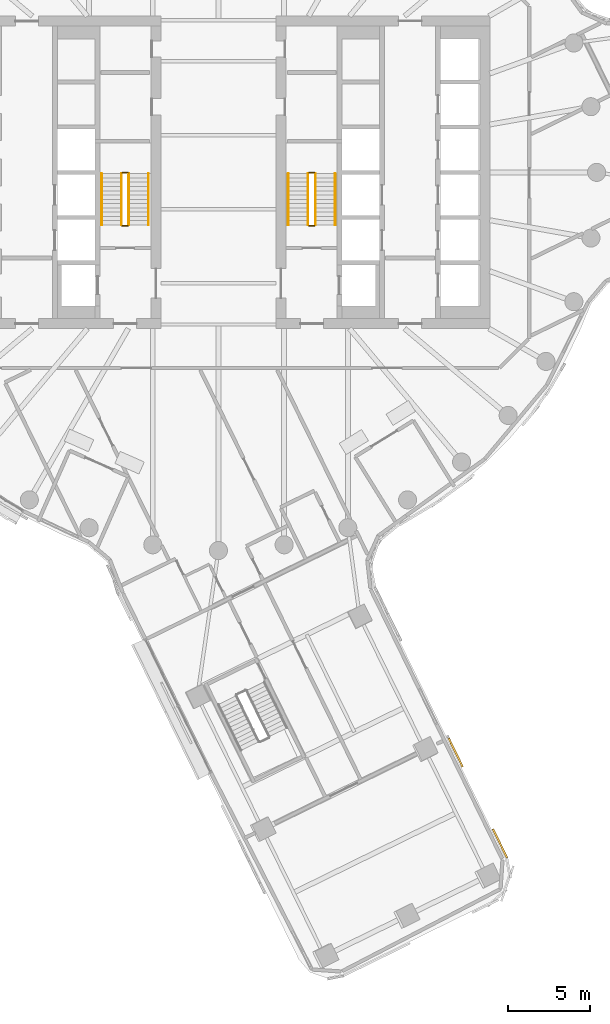
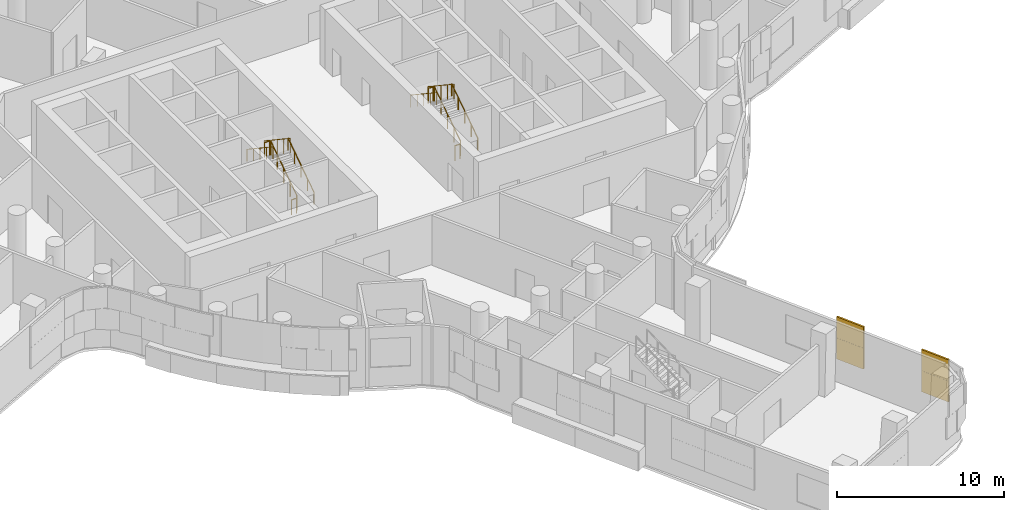
# One storey, part 19 of 23: 12 railings, 1 covering.
"""IFC4 building model written with IfcOpenShell, lengths in metres."""

from ifc_helpers import new_model, si_unit, direction, frame, origin, origin_2d, place, context, subcontext, project, spatial, rectangle, circle, extrude, material, layer, layer_set, type_object, element, save


model = new_model("IFC4")

# Units and contexts
model_context = context("Model", 3, precision=1e-05, world=origin(), true_north=direction((0.0, 1.0)))
body_context = subcontext(model_context, "Body", "Model", "MODEL_VIEW")
ifc_project = project(units=[si_unit("LENGTHUNIT", "METRE"), si_unit("AREAUNIT", "SQUARE_METRE"), si_unit("VOLUMEUNIT", "CUBIC_METRE"), si_unit("PLANEANGLEUNIT", "RADIAN"), si_unit("MASSUNIT", "GRAM", prefix="KILO")], contexts=[model_context])

# Site, building, storey
site_placement = place(None, origin())
site = spatial("IfcSite", under=ifc_project, at=site_placement, CompositionType="ELEMENT")
building_placement = place(site_placement, origin())
building = spatial("IfcBuilding", under=site, at=building_placement, Name="Tamarind Cross Interchange Tower", CompositionType="ELEMENT")
storey_placement = place(building_placement, frame((0.0, 0.0, 128.5)))
storey = spatial("IfcBuildingStorey", under=building, at=storey_placement, Name="L31", CompositionType="ELEMENT", Elevation=128.5)

# Railings
ifc_material_1 = material(Name="Stair guard")
railing_type_1 = type_object("IfcRailingType", Name="Stair guard", PredefinedType="GUARDRAIL", material=ifc_material_1)
railing_1_placement = place(storey_placement, frame((-5.449951171875, -3.199951171875, 0.173095703125)))
element("IfcRailing", 1, at=railing_1_placement, inside=storey, type_object=railing_type_1, Name="L31 ST1 stair guard 1", PredefinedType="GUARDRAIL", context=body_context, shape_type="SweptSolid", body=[
    extrude(circle(Radius=0.02392578125, at=origin_2d()), frame((0.0, 0.0, 1.076171875), z_axis=(0.0, 0.832420903958, 0.554143879018), x_axis=(-1.0, 0.0, 0.0)), (0.0, 0.0, 1.0), 3.748046875),
    extrude(circle(Radius=0.02099609375, at=origin_2d()), origin(), (0.0, 0.0, 1.0), 1.052001953125),
    extrude(circle(Radius=0.02099609375, at=origin_2d()), frame((0.0, 0.780029296875, 0.519287109375)), (0.0, 0.0, 1.0), 1.052001953125),
    extrude(circle(Radius=0.02099609375, at=origin_2d()), frame((0.0, 1.56005859375, 1.03857421875)), (0.0, 0.0, 1.0), 1.052001953125),
    extrude(circle(Radius=0.02099609375, at=origin_2d()), frame((0.0, 2.33984375, 1.5576171875)), (0.0, 0.0, 1.0), 1.052001953125),
    extrude(circle(Radius=0.02099609375, at=origin_2d()), frame((0.0, 3.119873046875, 2.076904296875)), (0.0, 0.0, 1.0), 1.052001953125),
])
railing_2_placement = place(storey_placement, frame((-5.5, -0.030029296875, 2.25)))
element("IfcRailing", 2, at=railing_2_placement, inside=storey, type_object=railing_type_1, Name="L31 ST1 stair guard 2", PredefinedType="GUARDRAIL", context=body_context, shape_type="SweptSolid", body=[
    extrude(circle(Radius=0.02392578125, at=origin_2d()), frame((0.0, 0.0, 1.076171875), z_axis=(-1.0, 0.0, 0.0), x_axis=(0.0, -1.0, 0.0)), (0.0, 0.0, 1.0), 0.35009765625),
    extrude(circle(Radius=0.02099609375, at=origin_2d()), origin(), (0.0, 0.0, 1.0), 1.052001953125),
    extrude(circle(Radius=0.02099609375, at=origin_2d()), frame((-0.35009765625, 0.0, 0.0)), (0.0, 0.0, 1.0), 1.052001953125),
])
railing_3_placement = place(storey_placement, frame((-5.89990234375, -0.080078125, 2.423095703125)))
element("IfcRailing", 3, at=railing_3_placement, inside=storey, type_object=railing_type_1, Name="L31 ST1 stair guard 3", PredefinedType="GUARDRAIL", context=body_context, shape_type="SweptSolid", body=[
    extrude(circle(Radius=0.02392578125, at=origin_2d()), frame((0.0, 0.0, 1.076171875), z_axis=(0.0, -0.832420903958, 0.554143879018), x_axis=(1.0, 0.0, 0.0)), (0.0, 0.0, 1.0), 3.748046875),
    extrude(circle(Radius=0.02099609375, at=origin_2d()), origin(), (0.0, 0.0, 1.0), 1.052001953125),
    extrude(circle(Radius=0.02099609375, at=origin_2d()), frame((0.0, -0.780029296875, 0.519287109375)), (0.0, 0.0, 1.0), 1.052001953125),
    extrude(circle(Radius=0.02099609375, at=origin_2d()), frame((0.0, -1.56005859375, 1.03857421875)), (0.0, 0.0, 1.0), 1.052001953125),
    extrude(circle(Radius=0.02099609375, at=origin_2d()), frame((0.0, -2.33984375, 1.5576171875)), (0.0, 0.0, 1.0), 1.052001953125),
    extrude(circle(Radius=0.02099609375, at=origin_2d()), frame((0.0, -3.119873046875, 2.076904296875)), (0.0, 0.0, 1.0), 1.052001953125),
])
railing_4_placement = place(storey_placement, frame((-5.5, -3.25, 0.0)))
element("IfcRailing", 4, at=railing_4_placement, inside=storey, type_object=railing_type_1, Name="L31 ST1 stair guard 4", PredefinedType="GUARDRAIL", context=body_context, shape_type="SweptSolid", body=[
    extrude(circle(Radius=0.02392578125, at=origin_2d()), frame((0.0, 0.0, 1.076171875), z_axis=(-1.0, 0.0, 0.0), x_axis=(0.0, -1.0, 0.0)), (0.0, 0.0, 1.0), 0.35009765625),
    extrude(circle(Radius=0.02099609375, at=origin_2d()), origin(), (0.0, 0.0, 1.0), 1.052001953125),
    extrude(circle(Radius=0.02099609375, at=origin_2d()), frame((-0.35009765625, 0.0, 0.0)), (0.0, 0.0, 1.0), 1.052001953125),
])
railing_5_placement = place(storey_placement, frame((5.89990234375, -3.199951171875, 0.173095703125)))
element("IfcRailing", 5, at=railing_5_placement, inside=storey, type_object=railing_type_1, Name="L31 ST2 stair guard 1", PredefinedType="GUARDRAIL", context=body_context, shape_type="SweptSolid", body=[
    extrude(circle(Radius=0.02392578125, at=origin_2d()), frame((0.0, 0.0, 1.076171875), z_axis=(0.0, 0.832420903958, 0.554143879018), x_axis=(-1.0, 0.0, 0.0)), (0.0, 0.0, 1.0), 3.748046875),
    extrude(circle(Radius=0.02099609375, at=origin_2d()), origin(), (0.0, 0.0, 1.0), 1.052001953125),
    extrude(circle(Radius=0.02099609375, at=origin_2d()), frame((0.0, 0.780029296875, 0.519287109375)), (0.0, 0.0, 1.0), 1.052001953125),
    extrude(circle(Radius=0.02099609375, at=origin_2d()), frame((0.0, 1.56005859375, 1.03857421875)), (0.0, 0.0, 1.0), 1.052001953125),
    extrude(circle(Radius=0.02099609375, at=origin_2d()), frame((0.0, 2.33984375, 1.5576171875)), (0.0, 0.0, 1.0), 1.052001953125),
    extrude(circle(Radius=0.02099609375, at=origin_2d()), frame((0.0, 3.119873046875, 2.076904296875)), (0.0, 0.0, 1.0), 1.052001953125),
])
railing_6_placement = place(storey_placement, frame((5.85009765625, -0.030029296875, 2.25)))
element("IfcRailing", 6, at=railing_6_placement, inside=storey, type_object=railing_type_1, Name="L31 ST2 stair guard 2", PredefinedType="GUARDRAIL", context=body_context, shape_type="SweptSolid", body=[
    extrude(circle(Radius=0.02392578125, at=origin_2d()), frame((0.0, 0.0, 1.076171875), z_axis=(-1.0, 0.0, 0.0), x_axis=(0.0, -1.0, 0.0)), (0.0, 0.0, 1.0), 0.35009765625),
    extrude(circle(Radius=0.02099609375, at=origin_2d()), origin(), (0.0, 0.0, 1.0), 1.052001953125),
    extrude(circle(Radius=0.02099609375, at=origin_2d()), frame((-0.35009765625, 0.0, 0.0)), (0.0, 0.0, 1.0), 1.052001953125),
])
railing_7_placement = place(storey_placement, frame((5.449951171875, -0.080078125, 2.423095703125)))
element("IfcRailing", 7, at=railing_7_placement, inside=storey, type_object=railing_type_1, Name="L31 ST2 stair guard 3", PredefinedType="GUARDRAIL", context=body_context, shape_type="SweptSolid", body=[
    extrude(circle(Radius=0.02392578125, at=origin_2d()), frame((0.0, 0.0, 1.076171875), z_axis=(0.0, -0.832420903958, 0.554143879018), x_axis=(1.0, 0.0, 0.0)), (0.0, 0.0, 1.0), 3.748046875),
    extrude(circle(Radius=0.02099609375, at=origin_2d()), origin(), (0.0, 0.0, 1.0), 1.052001953125),
    extrude(circle(Radius=0.02099609375, at=origin_2d()), frame((0.0, -0.780029296875, 0.519287109375)), (0.0, 0.0, 1.0), 1.052001953125),
    extrude(circle(Radius=0.02099609375, at=origin_2d()), frame((0.0, -1.56005859375, 1.03857421875)), (0.0, 0.0, 1.0), 1.052001953125),
    extrude(circle(Radius=0.02099609375, at=origin_2d()), frame((0.0, -2.33984375, 1.5576171875)), (0.0, 0.0, 1.0), 1.052001953125),
    extrude(circle(Radius=0.02099609375, at=origin_2d()), frame((0.0, -3.119873046875, 2.076904296875)), (0.0, 0.0, 1.0), 1.052001953125),
])
railing_8_placement = place(storey_placement, frame((5.85009765625, -3.25, 0.0)))
element("IfcRailing", 8, at=railing_8_placement, inside=storey, type_object=railing_type_1, Name="L31 ST2 stair guard 4", PredefinedType="GUARDRAIL", context=body_context, shape_type="SweptSolid", body=[
    extrude(circle(Radius=0.02392578125, at=origin_2d()), frame((0.0, 0.0, 1.076171875), z_axis=(-1.0, 0.0, 0.0), x_axis=(0.0, -1.0, 0.0)), (0.0, 0.0, 1.0), 0.35009765625),
    extrude(circle(Radius=0.02099609375, at=origin_2d()), origin(), (0.0, 0.0, 1.0), 1.052001953125),
    extrude(circle(Radius=0.02099609375, at=origin_2d()), frame((-0.35009765625, 0.0, 0.0)), (0.0, 0.0, 1.0), 1.052001953125),
])
ifc_material_2 = material(Name="Stair handrail")
railing_type_2 = type_object("IfcRailingType", Name="Stair handrail", PredefinedType="HANDRAIL", material=ifc_material_2)
railing_9_placement = place(storey_placement, frame((-4.25, -3.199951171875, 0.173095703125)))
element("IfcRailing", 9, at=railing_9_placement, inside=storey, type_object=railing_type_2, Name="L31 ST1 stair handrail 1", PredefinedType="HANDRAIL", context=body_context, shape_type="SweptSolid", body=[
    extrude(circle(Radius=0.02392578125, at=origin_2d()), frame((0.0, 0.0, 0.8759765625), z_axis=(0.0, 0.832420903958, 0.554143879018), x_axis=(-1.0, 0.0, 0.0)), (0.0, 0.0, 1.0), 3.748046875),
    extrude(circle(Radius=0.02099609375, at=origin_2d()), origin(), (0.0, 0.0, 1.0), 0.851806640625),
    extrude(circle(Radius=0.02099609375, at=origin_2d()), frame((0.0, 0.780029296875, 0.519287109375)), (0.0, 0.0, 1.0), 0.851806640625),
    extrude(circle(Radius=0.02099609375, at=origin_2d()), frame((0.0, 1.56005859375, 1.03857421875)), (0.0, 0.0, 1.0), 0.851806640625),
    extrude(circle(Radius=0.02099609375, at=origin_2d()), frame((0.0, 2.33984375, 1.5576171875)), (0.0, 0.0, 1.0), 0.851806640625),
    extrude(circle(Radius=0.02099609375, at=origin_2d()), frame((0.0, 3.119873046875, 2.076904296875)), (0.0, 0.0, 1.0), 0.851806640625),
])
railing_10_placement = place(storey_placement, frame((-7.10009765625, -0.080078125, 2.423095703125)))
element("IfcRailing", 10, at=railing_10_placement, inside=storey, type_object=railing_type_2, Name="L31 ST1 stair handrail 2", PredefinedType="HANDRAIL", context=body_context, shape_type="SweptSolid", body=[
    extrude(circle(Radius=0.02392578125, at=origin_2d()), frame((0.0, 0.0, 0.8759765625), z_axis=(0.0, -0.832420903958, 0.554143879018), x_axis=(1.0, 0.0, 0.0)), (0.0, 0.0, 1.0), 3.748046875),
    extrude(circle(Radius=0.02099609375, at=origin_2d()), origin(), (0.0, 0.0, 1.0), 0.851806640625),
    extrude(circle(Radius=0.02099609375, at=origin_2d()), frame((0.0, -0.780029296875, 0.519287109375)), (0.0, 0.0, 1.0), 0.851806640625),
    extrude(circle(Radius=0.02099609375, at=origin_2d()), frame((0.0, -1.56005859375, 1.03857421875)), (0.0, 0.0, 1.0), 0.851806640625),
    extrude(circle(Radius=0.02099609375, at=origin_2d()), frame((0.0, -2.33984375, 1.5576171875)), (0.0, 0.0, 1.0), 0.851806640625),
    extrude(circle(Radius=0.02099609375, at=origin_2d()), frame((0.0, -3.119873046875, 2.076904296875)), (0.0, 0.0, 1.0), 0.851806640625),
])
railing_11_placement = place(storey_placement, frame((7.10009765625, -3.199951171875, 0.173095703125)))
element("IfcRailing", 11, at=railing_11_placement, inside=storey, type_object=railing_type_2, Name="L31 ST2 stair handrail 1", PredefinedType="HANDRAIL", context=body_context, shape_type="SweptSolid", body=[
    extrude(circle(Radius=0.02392578125, at=origin_2d()), frame((0.0, 0.0, 0.8759765625), z_axis=(0.0, 0.832420903958, 0.554143879018), x_axis=(-1.0, 0.0, 0.0)), (0.0, 0.0, 1.0), 3.748046875),
    extrude(circle(Radius=0.02099609375, at=origin_2d()), origin(), (0.0, 0.0, 1.0), 0.851806640625),
    extrude(circle(Radius=0.02099609375, at=origin_2d()), frame((0.0, 0.780029296875, 0.519287109375)), (0.0, 0.0, 1.0), 0.851806640625),
    extrude(circle(Radius=0.02099609375, at=origin_2d()), frame((0.0, 1.56005859375, 1.03857421875)), (0.0, 0.0, 1.0), 0.851806640625),
    extrude(circle(Radius=0.02099609375, at=origin_2d()), frame((0.0, 2.33984375, 1.5576171875)), (0.0, 0.0, 1.0), 0.851806640625),
    extrude(circle(Radius=0.02099609375, at=origin_2d()), frame((0.0, 3.119873046875, 2.076904296875)), (0.0, 0.0, 1.0), 0.851806640625),
])
railing_12_placement = place(storey_placement, frame((4.25, -0.080078125, 2.423095703125)))
element("IfcRailing", 12, at=railing_12_placement, inside=storey, type_object=railing_type_2, Name="L31 ST2 stair handrail 2", PredefinedType="HANDRAIL", context=body_context, shape_type="SweptSolid", body=[
    extrude(circle(Radius=0.02392578125, at=origin_2d()), frame((0.0, 0.0, 0.8759765625), z_axis=(0.0, -0.832420903958, 0.554143879018), x_axis=(1.0, 0.0, 0.0)), (0.0, 0.0, 1.0), 3.748046875),
    extrude(circle(Radius=0.02099609375, at=origin_2d()), origin(), (0.0, 0.0, 1.0), 0.851806640625),
    extrude(circle(Radius=0.02099609375, at=origin_2d()), frame((0.0, -0.780029296875, 0.519287109375)), (0.0, 0.0, 1.0), 0.851806640625),
    extrude(circle(Radius=0.02099609375, at=origin_2d()), frame((0.0, -1.56005859375, 1.03857421875)), (0.0, 0.0, 1.0), 0.851806640625),
    extrude(circle(Radius=0.02099609375, at=origin_2d()), frame((0.0, -2.33984375, 1.5576171875)), (0.0, 0.0, 1.0), 0.851806640625),
    extrude(circle(Radius=0.02099609375, at=origin_2d()), frame((0.0, -3.119873046875, 2.076904296875)), (0.0, 0.0, 1.0), 0.851806640625),
])

# Covering
ifc_material_3 = material(Name="Terracotta", Category="masonry")
ifc_layer = layer(ifc_material_3, 0.1201171875)
ifc_layer_set = layer_set([ifc_layer], Name="Terracotta")
covering_type = type_object("IfcCoveringType", Name="Terracotta baguette screen unit", PredefinedType="MOLDING", material=ifc_layer_set)
covering_placement = place(storey_placement, origin())
element("IfcCovering", 13, at=covering_placement, inside=storey, type_object=covering_type, Name="SCR-L31-05-00", PredefinedType="MOLDING", context=body_context, shape_type="SweptSolid", body=[
    extrude(rectangle(XDim=0.760009765625, YDim=0.1201171875, at=origin_2d()), frame((17.380615234375, -41.3408203125, 1.404052734375), z_axis=(0.0, 0.0, 1.0), x_axis=(-0.438582979909, 0.898690697479, 0.0)), (0.0, 0.0, 1.0), 1.5419921875),
    extrude(rectangle(XDim=1.2001953125, YDim=0.1201171875, at=origin_2d()), frame((16.955078125, -40.468994140625, 1.404052734375), z_axis=(0.0, 0.0, 1.0), x_axis=(-0.438582979909, 0.898690697479, 0.0)), (0.0, 0.0, 1.0), 1.5419921875),
    extrude(rectangle(XDim=0.619873046875, YDim=0.1201171875, at=origin_2d()), frame((14.71826171875, -35.8857421875, 1.404052734375), z_axis=(0.0, 0.0, 1.0), x_axis=(-0.438582979909, 0.898690697479, 0.0)), (0.0, 0.0, 1.0), 1.5419921875),
    extrude(rectangle(XDim=1.340576171875, YDim=0.1201171875, at=origin_2d()), frame((14.292724609375, -35.013916015625, 1.404052734375), z_axis=(0.0, 0.0, 1.0), x_axis=(-0.438582979909, 0.898690697479, 0.0)), (0.0, 0.0, 1.0), 1.5419921875),
    extrude(rectangle(XDim=1.510009765625, YDim=0.1201171875, at=origin_2d()), frame((17.216064453125, -41.00390625, 2.9541015625), z_axis=(0.0, 0.0, 1.0), x_axis=(-0.438582979909, 0.898690697479, 0.0)), (0.0, 0.0, 1.0), 1.5419921875),
    extrude(rectangle(XDim=0.4501953125, YDim=0.1201171875, at=origin_2d()), frame((16.79052734375, -40.132080078125, 2.9541015625), z_axis=(0.0, 0.0, 1.0), x_axis=(-0.438582979909, 0.898690697479, 0.0)), (0.0, 0.0, 1.0), 1.5419921875),
    extrude(rectangle(XDim=1.369873046875, YDim=0.1201171875, at=origin_2d()), frame((14.5537109375, -35.548583984375, 2.9541015625), z_axis=(0.0, 0.0, 1.0), x_axis=(-0.438582979909, 0.898690697479, 0.0)), (0.0, 0.0, 1.0), 1.5419921875),
    extrude(rectangle(XDim=0.590576171875, YDim=0.1201171875, at=origin_2d()), frame((14.12841796875, -34.6767578125, 2.9541015625), z_axis=(0.0, 0.0, 1.0), x_axis=(-0.438582979909, 0.898690697479, 0.0)), (0.0, 0.0, 1.0), 1.5419921875),
])

save(model, "model.ifc")
